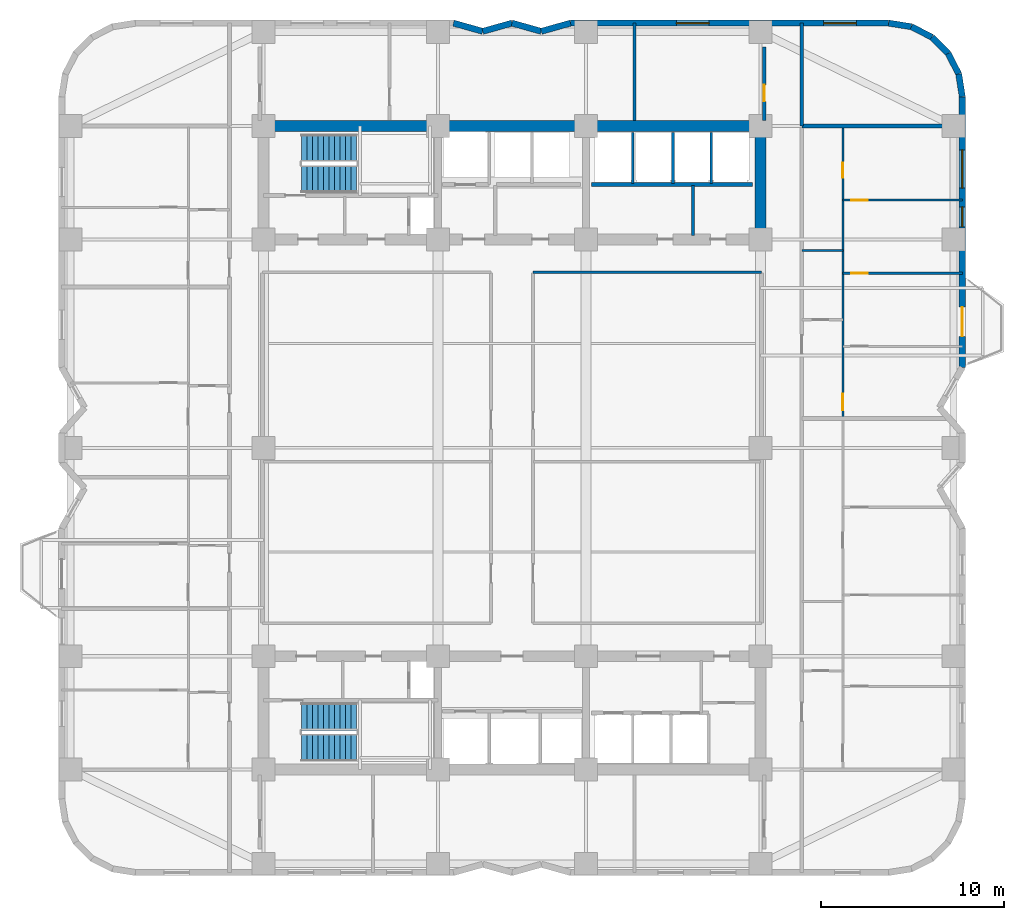
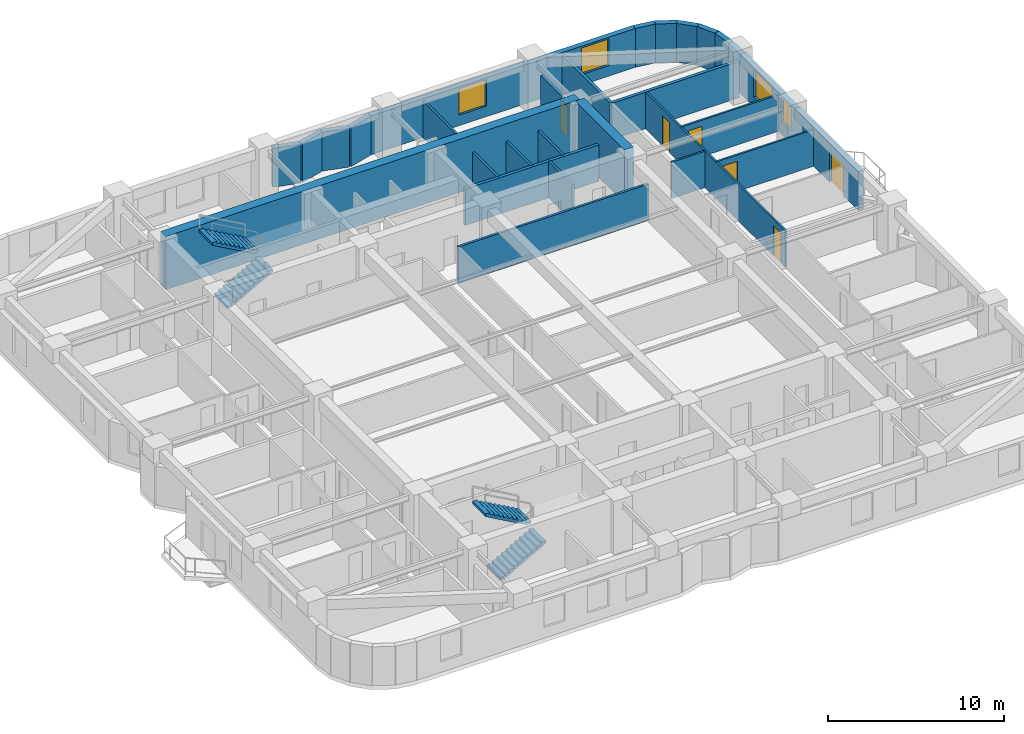
# One storey, part 7 of 9: 27 walls, 6 doors, 4 stair flights, 4 windows, 10 openings, 2 elements without a shape of their own.
"""IFC4 building model written with IfcOpenShell, lengths in metres."""

from ifc_helpers import new_model, si_unit, direction, frame, frame_2d, origin, place, context, subcontext, project, spatial, polyline, rectangle, outline, extrude, material, layer, layer_set, type_object, element, fill, aggregate, save


model = new_model("IFC4")

# Units and contexts
model_context = context("Model", 3, precision=1e-05, world=origin(), true_north=direction((0.0, 1.0)))
body_context = subcontext(model_context, "Body", "Model", "MODEL_VIEW")
ifc_project = project(units=[si_unit("LENGTHUNIT", "METRE"), si_unit("AREAUNIT", "SQUARE_METRE"), si_unit("VOLUMEUNIT", "CUBIC_METRE"), si_unit("PLANEANGLEUNIT", "RADIAN"), si_unit("MASSUNIT", "GRAM", prefix="KILO")], contexts=[model_context])

# Site, building, storey
site_placement = place(None, origin())
site = spatial("IfcSite", under=ifc_project, at=site_placement, CompositionType="ELEMENT")
building_placement = place(site_placement, origin())
building = spatial("IfcBuilding", under=site, at=building_placement, Name="Svetorya Sky Lyceum", CompositionType="ELEMENT")
storey_placement = place(building_placement, frame((0.0, 0.0, 51.0)))
storey = spatial("IfcBuildingStorey", under=building, at=storey_placement, Name="L12", CompositionType="ELEMENT", Elevation=51.0)

# Walls
ifc_material_1 = material(Name="Concrete C60/75", Category="concrete")
ifc_layer_1 = layer(ifc_material_1, 0.60009765625)
ifc_layer_set_1 = layer_set([ifc_layer_1], Name="Concrete C60/75")
wall_type_1 = type_object("IfcWallType", Name="WL-CORE-600", PredefinedType="SHEAR", material=ifc_layer_set_1)
wall_1_placement = place(storey_placement, frame((25.60009765625, 45.800048828125, 0.0), z_axis=(0.0, 0.0, 1.0), x_axis=(1.0, 0.0, 0.0)))
element("IfcWall", 1, at=wall_1_placement, inside=storey, type_object=wall_type_1, Name="L12 NC Outer Core Shear Wall", PredefinedType="SHEAR", context=body_context, shape_type="SweptSolid", body=[
    extrude(rectangle(XDim=27.199951171875, YDim=0.60009765625, at=frame_2d((13.60009765625, 0.0))), origin(), (0.0, 0.0, 1.0), 3.699951171875),
])
wall_2_placement = place(storey_placement, frame((52.800048828125, 39.89990234375, 0.0), z_axis=(0.0, 0.0, 1.0), x_axis=(0.0, 1.0, 0.0)))
element("IfcWall", 2, at=wall_2_placement, inside=storey, type_object=wall_type_1, Name="L12 NC East Core Shear Wall", PredefinedType="SHEAR", context=body_context, shape_type="SweptSolid", body=[
    extrude(rectangle(XDim=5.60009765625, YDim=0.60009765625, at=frame_2d((2.800048828125, 0.0))), origin(), (0.0, 0.0, 1.0), 3.699951171875),
])

# Wall, openings, door, windows
ifc_material_2 = material(Name="Putilovo limestone rainscreen on autoclaved cellular masonry", Category="masonry")
ifc_layer_2 = layer(ifc_material_2, 0.340087890625)
ifc_layer_set_2 = layer_set([ifc_layer_2], Name="Putilovo limestone rainscreen on autoclaved cellular masonry")
wall_type_2 = type_object("IfcWallType", Name="WL-EXT-340", PredefinedType="SOLIDWALL", material=ifc_layer_set_2)
wall_3_placement = place(storey_placement, frame((63.830078125, 32.60009765625, 0.0), z_axis=(0.0, 0.0, 1.0), x_axis=(0.0, 1.0, 0.0)))
wall_3 = element("IfcWall", 3, at=wall_3_placement, inside=storey, type_object=wall_type_2, Name="L12 Limestone Exterior Wall 23M", PredefinedType="SOLIDWALL", context=body_context, shape_type="SweptSolid", body=[
    extrude(rectangle(XDim=14.7998046875, YDim=0.340087890625, at=frame_2d((7.39990234375, 0.0))), origin(), (0.0, 0.0, 1.0), 2.699951171875),
])
opening_1_placement = place(wall_3_placement, frame((1.699951171875, 0.0, 0.0)))
opening_1 = element("IfcOpeningElement", 4, at=opening_1_placement, cuts=wall_3, Name="Opening D-BL1", PredefinedType="OPENING", context=body_context, shape_type="SweptSolid", body=[
    extrude(rectangle(XDim=1.60009765625, YDim=2.10009765625, at=frame_2d((0.800048828125, 1.050048828125))), frame((0.0, 0.179931640625, 0.0), z_axis=(0.0, -1.0, 0.0), x_axis=(1.0, 0.0, 0.0)), (0.0, 0.0, 1.0), 0.360107421875),
])
opening_2_placement = place(wall_3_placement, frame((7.679931640625, 0.0, 0.889892578125)))
opening_2 = element("IfcOpeningElement", 5, at=opening_2_placement, cuts=wall_3, Name="Opening W-R3", PredefinedType="OPENING", context=body_context, shape_type="SweptSolid", body=[
    extrude(rectangle(XDim=1.10009765625, YDim=1.64990234375, at=frame_2d((0.550048828125, 0.824951171875))), frame((0.0, 0.179931640625, 0.0), z_axis=(0.0, -1.0, 0.0), x_axis=(1.0, 0.0, 0.0)), (0.0, 0.0, 1.0), 0.360107421875),
])
opening_3_placement = place(wall_3_placement, frame((9.800048828125, 0.0, 0.679931640625)))
opening_3 = element("IfcOpeningElement", 6, at=opening_3_placement, cuts=wall_3, Name="Opening W-R0", PredefinedType="OPENING", context=body_context, shape_type="SweptSolid", body=[
    extrude(rectangle(XDim=2.10009765625, YDim=1.89990234375, at=frame_2d((1.050048828125, 0.949951171875))), frame((0.0, 0.179931640625, 0.0), z_axis=(0.0, -1.0, 0.0), x_axis=(1.0, 0.0, 0.0)), (0.0, 0.0, 1.0), 0.360107421875),
])
ifc_material_3 = material(Name="Insulated glazed aluminium balcony door", Category="aluminium")
door_type_1 = type_object("IfcDoorType", Name="DR-BAL-1600", OperationType="DOUBLE_DOOR_SINGLE_SWING", PredefinedType="DOOR", material=ifc_material_3)
door_1_placement = place(opening_1_placement, origin())
door_1 = element("IfcDoor", 7, at=door_1_placement, inside=storey, type_object=door_type_1, Name="L12 Balcony BAL-E1 Door", OperationType="DOUBLE_DOOR_SINGLE_SWING", OverallHeight=2.10009765625, OverallWidth=1.60009765625, PredefinedType="DOOR", context=body_context, shape_type="SweptSolid", body=[
    extrude(rectangle(XDim=1.60009765625, YDim=2.10009765625, at=frame_2d((0.800048828125, 1.050048828125))), frame((0.0, 0.02490234375, 0.0), z_axis=(0.0, -1.0, 0.0), x_axis=(1.0, 0.0, 0.0)), (0.0, 0.0, 1.0), 0.050048828125),
])
fill(opening_1, door_1)
ifc_material_4 = material(Name="Thermally broken aluminium frame with triple low-E glazing", Category="aluminium")
window_type_1 = type_object("IfcWindowType", Name="WN-RES-110", PartitioningType="SINGLE_PANEL", PredefinedType="WINDOW", material=ifc_material_4)
window_1_placement = place(opening_2_placement, origin())
window_1 = element("IfcWindow", 8, at=window_1_placement, inside=storey, type_object=window_type_1, Name="L12 Facade Window W-R3.23M.2", OverallHeight=1.64990234375, OverallWidth=1.10009765625, PartitioningType="SINGLE_PANEL", PredefinedType="WINDOW", context=body_context, shape_type="SweptSolid", body=[
    extrude(rectangle(XDim=1.10009765625, YDim=1.64990234375, at=frame_2d((0.550048828125, 0.824951171875))), frame((0.0, 0.030029296875, 0.0), z_axis=(0.0, -1.0, 0.0), x_axis=(1.0, 0.0, 0.0)), (0.0, 0.0, 1.0), 0.06005859375),
])
fill(opening_2, window_1)
window_type_2 = type_object("IfcWindowType", Name="WN-RES-210", PartitioningType="TRIPLE_PANEL_VERTICAL", PredefinedType="WINDOW", material=ifc_material_4)
window_2_placement = place(opening_3_placement, origin())
window_2 = element("IfcWindow", 9, at=window_2_placement, inside=storey, type_object=window_type_2, Name="L12 Facade Window W-R0.23M.1", OverallHeight=1.89990234375, OverallWidth=2.10009765625, PartitioningType="SINGLE_PANEL", PredefinedType="WINDOW", context=body_context, shape_type="SweptSolid", body=[
    extrude(rectangle(XDim=2.10009765625, YDim=1.89990234375, at=frame_2d((1.050048828125, 0.949951171875))), frame((0.0, 0.030029296875, 0.0), z_axis=(0.0, -1.0, 0.0), x_axis=(1.0, 0.0, 0.0)), (0.0, 0.0, 1.0), 0.06005859375),
])
fill(opening_3, window_2)

# Walls
for number, where, z_axis, x_axis, name in (
    (10, (63.830078125, 47.39990234375, 0.0), (0.0, 0.0, 1.0), (-0.15644975923, 0.987685918112, 0.0), "L12 Limestone Exterior Wall 24M"),
    (11, (63.6328125, 48.645263671875, 0.0), (0.0, 0.0, 1.0), (-0.454015689056, 0.890993689142, 0.0), "L12 Limestone Exterior Wall 25M"),
    (12, (63.060302734375, 49.768798828125, 0.0), (0.0, 0.0, 1.0), (-0.707106781187, 0.707106781187, 0.0), "L12 Limestone Exterior Wall 26M"),
):
    element("IfcWall", number, at=place(storey_placement, frame(where, z_axis=z_axis, x_axis=x_axis)), inside=storey, type_object=wall_type_2, Name=name, PredefinedType="SOLIDWALL", context=body_context, shape_type="SweptSolid", body=[
        extrude(rectangle(XDim=1.260986328125, YDim=0.340087890625, at=frame_2d((0.63037109375, 0.0))), origin(), (0.0, 0.0, 1.0), 2.699951171875),
    ])
for number, where, z_axis, x_axis, name in (
    (13, (62.168701171875, 50.660400390625, 0.0), (0.0, 0.0, 1.0), (-0.890953769915, 0.454094020963, 0.0), "L12 Limestone Exterior Wall 27M"),
    (14, (61.04541015625, 51.23291015625, 0.0), (0.0, 0.0, 1.0), (-0.98771582066, 0.156260864002, 0.0), "L12 Limestone Exterior Wall 28M"),
):
    element("IfcWall", number, at=place(storey_placement, frame(where, z_axis=z_axis, x_axis=x_axis)), inside=storey, type_object=wall_type_2, Name=name, PredefinedType="SOLIDWALL", context=body_context, shape_type="SweptSolid", body=[
        extrude(rectangle(XDim=1.2607421875, YDim=0.340087890625, at=frame_2d((0.63037109375, 0.0))), origin(), (0.0, 0.0, 1.0), 2.699951171875),
    ])

# Wall, openings, windows
wall_4_placement = place(storey_placement, frame((59.800048828125, 51.429931640625, 0.0), z_axis=(0.0, 0.0, 1.0), x_axis=(-1.0, 0.0, 0.0)))
wall_4 = element("IfcWall", 15, at=wall_4_placement, inside=storey, type_object=wall_type_2, Name="L12 Limestone Exterior Wall 29M", PredefinedType="SOLIDWALL", context=body_context, shape_type="SweptSolid", body=[
    extrude(rectangle(XDim=17.400146484375, YDim=0.340087890625, at=frame_2d((8.7001953125, 0.0))), origin(), (0.0, 0.0, 1.0), 2.699951171875),
])
opening_4_placement = place(wall_4_placement, frame((1.762451171875, 0.0, 0.72998046875)))
opening_4 = element("IfcOpeningElement", 16, at=opening_4_placement, cuts=wall_4, Name="Opening W-R1", PredefinedType="OPENING", context=body_context, shape_type="SweptSolid", body=[
    extrude(rectangle(XDim=1.800048828125, YDim=1.85009765625, at=frame_2d((0.89990234375, 0.925048828125))), frame((0.0, 0.179931640625, 0.0), z_axis=(0.0, -1.0, 0.0), x_axis=(1.0, 0.0, 0.0)), (0.0, 0.0, 1.0), 0.360107421875),
])
opening_5_placement = place(wall_4_placement, frame((9.8125, 0.0, 0.72998046875)))
opening_5 = element("IfcOpeningElement", 17, at=opening_5_placement, cuts=wall_4, Name="Opening W-R1", PredefinedType="OPENING", context=body_context, shape_type="SweptSolid", body=[
    extrude(rectangle(XDim=1.800048828125, YDim=1.85009765625, at=frame_2d((0.89990234375, 0.925048828125))), frame((0.0, 0.179931640625, 0.0), z_axis=(0.0, -1.0, 0.0), x_axis=(1.0, 0.0, 0.0)), (0.0, 0.0, 1.0), 0.360107421875),
])
window_type_3 = type_object("IfcWindowType", Name="WN-RES-180", PartitioningType="DOUBLE_PANEL_VERTICAL", PredefinedType="WINDOW", material=ifc_material_4)
window_3_placement = place(opening_4_placement, origin())
window_3 = element("IfcWindow", 18, at=window_3_placement, inside=storey, type_object=window_type_3, Name="L12 Facade Window W-R1.29M.1", OverallHeight=1.85009765625, OverallWidth=1.800048828125, PartitioningType="SINGLE_PANEL", PredefinedType="WINDOW", context=body_context, shape_type="SweptSolid", body=[
    extrude(rectangle(XDim=1.800048828125, YDim=1.85009765625, at=frame_2d((0.89990234375, 0.925048828125))), frame((0.0, 0.030029296875, 0.0), z_axis=(0.0, -1.0, 0.0), x_axis=(1.0, 0.0, 0.0)), (0.0, 0.0, 1.0), 0.06005859375),
])
fill(opening_4, window_3)
window_4_placement = place(opening_5_placement, origin())
window_4 = element("IfcWindow", 19, at=window_4_placement, inside=storey, type_object=window_type_3, Name="L12 Facade Window W-R1.29M.2", OverallHeight=1.85009765625, OverallWidth=1.800048828125, PartitioningType="SINGLE_PANEL", PredefinedType="WINDOW", context=body_context, shape_type="SweptSolid", body=[
    extrude(rectangle(XDim=1.800048828125, YDim=1.85009765625, at=frame_2d((0.89990234375, 0.925048828125))), frame((0.0, 0.030029296875, 0.0), z_axis=(0.0, -1.0, 0.0), x_axis=(1.0, 0.0, 0.0)), (0.0, 0.0, 1.0), 0.06005859375),
])
fill(opening_5, window_4)

# Walls
wall_5_placement = place(storey_placement, frame((42.39990234375, 51.429931640625, 0.0), z_axis=(0.0, 0.0, 1.0), x_axis=(-0.962652136636, -0.270741322725, 0.0)))
element("IfcWall", 20, at=wall_5_placement, inside=storey, type_object=wall_type_2, Name="L12 Limestone Exterior Wall 30M", PredefinedType="SOLIDWALL", context=body_context, shape_type="SweptSolid", body=[
    extrude(rectangle(XDim=1.661865234375, YDim=0.340087890625, at=frame_2d((0.8310546875, 0.0))), origin(), (0.0, 0.0, 1.0), 2.699951171875),
])
wall_6_placement = place(storey_placement, frame((40.800048828125, 50.97998046875, 0.0), z_axis=(0.0, 0.0, 1.0), x_axis=(-0.962662902433, 0.270703040766, 0.0)))
element("IfcWall", 21, at=wall_6_placement, inside=storey, type_object=wall_type_2, Name="L12 Limestone Exterior Wall 31M", PredefinedType="SOLIDWALL", context=body_context, shape_type="SweptSolid", body=[
    extrude(rectangle(XDim=1.662109375, YDim=0.340087890625, at=frame_2d((0.8310546875, 0.0))), origin(), (0.0, 0.0, 1.0), 2.699951171875),
])
wall_7_placement = place(storey_placement, frame((39.199951171875, 51.429931640625, 0.0), z_axis=(0.0, 0.0, 1.0), x_axis=(-0.962652136636, -0.270741322725, 0.0)))
element("IfcWall", 22, at=wall_7_placement, inside=storey, type_object=wall_type_2, Name="L12 Limestone Exterior Wall 32M", PredefinedType="SOLIDWALL", context=body_context, shape_type="SweptSolid", body=[
    extrude(rectangle(XDim=1.661865234375, YDim=0.340087890625, at=frame_2d((0.8310546875, 0.0))), origin(), (0.0, 0.0, 1.0), 2.699951171875),
])
wall_8_placement = place(storey_placement, frame((37.60009765625, 50.97998046875, 0.0), z_axis=(0.0, 0.0, 1.0), x_axis=(-0.962662902433, 0.270703040766, 0.0)))
element("IfcWall", 23, at=wall_8_placement, inside=storey, type_object=wall_type_2, Name="L12 Limestone Exterior Wall 33M", PredefinedType="SOLIDWALL", context=body_context, shape_type="SweptSolid", body=[
    extrude(rectangle(XDim=1.662109375, YDim=0.340087890625, at=frame_2d((0.8310546875, 0.0))), origin(), (0.0, 0.0, 1.0), 2.699951171875),
])
ifc_material_5 = material(Name="Twin-stud galvanized framing with double fireboard", Category="gypsum")
ifc_layer_3 = layer(ifc_material_5, 0.1201171875)
ifc_layer_set_3 = layer_set([ifc_layer_3], Name="Twin-stud galvanized framing with double fireboard")
wall_type_3 = type_object("IfcWallType", Name="WL-PART-120", PredefinedType="PARTITIONING", material=ifc_layer_set_3)
wall_9_placement = place(storey_placement, frame((55.050048828125, 39.0, 0.0), z_axis=(0.0, 0.0, 1.0), x_axis=(1.0, 0.0, 0.0)))
element("IfcWall", 24, at=wall_9_placement, inside=storey, type_object=wall_type_3, Name="L12 Interior Partition E2-WH2", PredefinedType="PARTITIONING", context=body_context, shape_type="SweptSolid", body=[
    extrude(rectangle(XDim=2.25, YDim=0.1201171875, at=frame_2d((1.125, 0.0))), origin(), (0.0, 0.0, 1.0), 2.530029296875),
])

# Wall, opening, door
wall_10_placement = place(storey_placement, frame((57.300048828125, 37.75, 0.0), z_axis=(0.0, 0.0, 1.0), x_axis=(1.0, 0.0, 0.0)))
wall_10 = element("IfcWall", 25, at=wall_10_placement, inside=storey, type_object=wall_type_3, Name="L12 Interior Partition E2-WL2", PredefinedType="PARTITIONING", context=body_context, shape_type="SweptSolid", body=[
    extrude(rectangle(XDim=6.530029296875, YDim=0.1201171875, at=frame_2d((3.26513671875, 0.0))), origin(), (0.0, 0.0, 1.0), 2.530029296875),
])
opening_6_placement = place(wall_10_placement, frame((0.449951171875, 0.0, 0.0)))
opening_6 = element("IfcOpeningElement", 26, at=opening_6_placement, cuts=wall_10, Name="Opening D-RM1", PredefinedType="OPENING", context=body_context, shape_type="SweptSolid", body=[
    extrude(rectangle(XDim=0.89990234375, YDim=2.10009765625, at=frame_2d((0.449951171875, 1.050048828125))), frame((0.0, 0.070068359375, 0.0), z_axis=(0.0, -1.0, 0.0), x_axis=(1.0, 0.0, 0.0)), (0.0, 0.0, 1.0), 0.14013671875),
])
ifc_material_6 = material(Name="Lacquered birch veneer internal door")
door_type_2 = type_object("IfcDoorType", Name="DR-INT-900", OperationType="SINGLE_SWING_LEFT", PredefinedType="DOOR", material=ifc_material_6)
door_2_placement = place(opening_6_placement, origin())
door_2 = element("IfcDoor", 27, at=door_2_placement, inside=storey, type_object=door_type_2, Name="Apartment E2 Bedroom 2 Door", OperationType="SINGLE_SWING_RIGHT", OverallHeight=2.10009765625, OverallWidth=0.89990234375, PredefinedType="DOOR", context=body_context, shape_type="SweptSolid", body=[
    extrude(rectangle(XDim=0.89990234375, YDim=2.10009765625, at=frame_2d((0.449951171875, 1.050048828125))), frame((0.0, 0.02490234375, 0.0), z_axis=(0.0, -1.0, 0.0), x_axis=(1.0, 0.0, 0.0)), (0.0, 0.0, 1.0), 0.050048828125),
])
fill(opening_6, door_2)

wall_11_placement = place(storey_placement, frame((57.300048828125, 41.75, 0.0), z_axis=(0.0, 0.0, 1.0), x_axis=(1.0, 0.0, 0.0)))
wall_11 = element("IfcWall", 28, at=wall_11_placement, inside=storey, type_object=wall_type_3, Name="L12 Interior Partition E2-WL3", PredefinedType="PARTITIONING", context=body_context, shape_type="SweptSolid", body=[
    extrude(rectangle(XDim=6.530029296875, YDim=0.1201171875, at=frame_2d((3.26513671875, 0.0))), origin(), (0.0, 0.0, 1.0), 2.530029296875),
])
opening_7_placement = place(wall_11_placement, frame((0.449951171875, 0.0, 0.0)))
opening_7 = element("IfcOpeningElement", 29, at=opening_7_placement, cuts=wall_11, Name="Opening D-RM1", PredefinedType="OPENING", context=body_context, shape_type="SweptSolid", body=[
    extrude(rectangle(XDim=0.89990234375, YDim=2.10009765625, at=frame_2d((0.449951171875, 1.050048828125))), frame((0.0, 0.070068359375, 0.0), z_axis=(0.0, -1.0, 0.0), x_axis=(1.0, 0.0, 0.0)), (0.0, 0.0, 1.0), 0.14013671875),
])
door_3_placement = place(opening_7_placement, origin())
door_3 = element("IfcDoor", 30, at=door_3_placement, inside=storey, type_object=door_type_2, Name="Apartment E2 Bedroom 3 Door", OperationType="SINGLE_SWING_LEFT", OverallHeight=2.10009765625, OverallWidth=0.89990234375, PredefinedType="DOOR", context=body_context, shape_type="SweptSolid", body=[
    extrude(rectangle(XDim=0.89990234375, YDim=2.10009765625, at=frame_2d((0.449951171875, 1.050048828125))), frame((0.0, 0.02490234375, 0.0), z_axis=(0.0, -1.0, 0.0), x_axis=(1.0, 0.0, 0.0)), (0.0, 0.0, 1.0), 0.050048828125),
])
fill(opening_7, door_3)

# Wall, openings, doors
wall_12_placement = place(storey_placement, frame((57.300048828125, 29.840087890625, 0.0), z_axis=(0.0, 0.0, 1.0), x_axis=(0.0, 1.0, 0.0)))
wall_12 = element("IfcWall", 31, at=wall_12_placement, inside=storey, type_object=wall_type_3, Name="L12 Interior Partition E2-WV", PredefinedType="PARTITIONING", context=body_context, shape_type="SweptSolid", body=[
    extrude(rectangle(XDim=15.919921875, YDim=0.1201171875, at=frame_2d((7.9599609375, 0.0))), origin(), (0.0, 0.0, 1.0), 2.530029296875),
])
opening_8_placement = place(wall_12_placement, frame((0.409912109375, 0.0, 0.0)))
opening_8 = element("IfcOpeningElement", 32, at=opening_8_placement, cuts=wall_12, Name="Opening D-RM1", PredefinedType="OPENING", context=body_context, shape_type="SweptSolid", body=[
    extrude(rectangle(XDim=0.89990234375, YDim=2.10009765625, at=frame_2d((0.449951171875, 1.050048828125))), frame((0.0, 0.070068359375, 0.0), z_axis=(0.0, -1.0, 0.0), x_axis=(1.0, 0.0, 0.0)), (0.0, 0.0, 1.0), 0.14013671875),
])
opening_9_placement = place(wall_12_placement, frame((13.125, 0.0, 0.0)))
opening_9 = element("IfcOpeningElement", 33, at=opening_9_placement, cuts=wall_12, Name="Opening D-BT2", PredefinedType="OPENING", context=body_context, shape_type="SweptSolid", body=[
    extrude(rectangle(XDim=0.820068359375, YDim=2.080078125, at=frame_2d((0.41015625, 1.0400390625))), frame((0.0, 0.070068359375, 0.0), z_axis=(0.0, -1.0, 0.0), x_axis=(1.0, 0.0, 0.0)), (0.0, 0.0, 1.0), 0.14013671875),
])
door_4_placement = place(opening_8_placement, origin())
door_4 = element("IfcDoor", 34, at=door_4_placement, inside=storey, type_object=door_type_2, Name="Apartment E2 Living Door", OperationType="SINGLE_SWING_RIGHT", OverallHeight=2.10009765625, OverallWidth=0.89990234375, PredefinedType="DOOR", context=body_context, shape_type="SweptSolid", body=[
    extrude(rectangle(XDim=0.89990234375, YDim=2.10009765625, at=frame_2d((0.449951171875, 1.050048828125))), frame((0.0, 0.02490234375, 0.0), z_axis=(0.0, -1.0, 0.0), x_axis=(1.0, 0.0, 0.0)), (0.0, 0.0, 1.0), 0.050048828125),
])
fill(opening_8, door_4)
ifc_material_7 = material(Name="Compact moisture-resistant laminate closet door")
door_type_3 = type_object("IfcDoorType", Name="DR-WET-820", OperationType="SINGLE_SWING_LEFT", PredefinedType="DOOR", material=ifc_material_7)
door_5_placement = place(opening_9_placement, origin())
door_5 = element("IfcDoor", 35, at=door_5_placement, inside=storey, type_object=door_type_3, Name="Apartment E2 Study Door", OperationType="SINGLE_SWING_LEFT", OverallHeight=2.080078125, OverallWidth=0.820068359375, PredefinedType="DOOR", context=body_context, shape_type="SweptSolid", body=[
    extrude(rectangle(XDim=0.820068359375, YDim=2.080078125, at=frame_2d((0.41015625, 1.0400390625))), frame((0.0, 0.02490234375, 0.0), z_axis=(0.0, -1.0, 0.0), x_axis=(1.0, 0.0, 0.0)), (0.0, 0.0, 1.0), 0.050048828125),
])
fill(opening_9, door_5)

# Walls
ifc_material_8 = material(Name="Autoclaved cellular masonry blockwork with acoustic render", Category="masonry")
ifc_layer_4 = layer(ifc_material_8, 0.14990234375)
ifc_layer_set_4 = layer_set([ifc_layer_4], Name="Autoclaved cellular masonry blockwork with acoustic render")
wall_type_4 = type_object("IfcWallType", Name="WL-PART-150", PredefinedType="PARTITIONING", material=ifc_layer_set_4)
for number, where, z_axis, x_axis, name in (
    (36, (45.800048828125, 42.64990234375, 0.0), (0.0, 0.0, 1.0), (0.0, 1.0, 0.0), "L12 Interior Partition NC-PM3-D"),
    (37, (48.0, 42.64990234375, 0.0), (0.0, 0.0, 1.0), (0.0, 1.0, 0.0), "L12 Interior Partition NC-PH-D1"),
    (38, (50.10009765625, 42.64990234375, 0.0), (0.0, 0.0, 1.0), (0.0, 1.0, 0.0), "L12 Interior Partition NC-PH-D2"),
):
    element("IfcWall", number, at=place(storey_placement, frame(where, z_axis=z_axis, x_axis=x_axis)), inside=storey, type_object=wall_type_4, Name=name, PredefinedType="PARTITIONING", context=body_context, shape_type="SweptSolid", body=[
        extrude(rectangle(XDim=2.800048828125, YDim=0.14990234375, at=frame_2d((1.39990234375, 0.0))), origin(), (0.0, 0.0, 1.0), 2.530029296875),
    ])
wall_13_placement = place(storey_placement, frame((49.10009765625, 39.820068359375, 0.0), z_axis=(0.0, 0.0, 1.0), x_axis=(0.0, 1.0, 0.0)))
element("IfcWall", 39, at=wall_13_placement, inside=storey, type_object=wall_type_4, Name="L12 Interior Partition NC-EDH", PredefinedType="PARTITIONING", context=body_context, shape_type="SweptSolid", body=[
    extrude(rectangle(XDim=2.72998046875, YDim=0.14990234375, at=frame_2d((1.364990234375, 0.0))), origin(), (0.0, 0.0, 1.0), 2.530029296875),
])
wall_14_placement = place(storey_placement, frame((40.35009765625, 37.800048828125, 0.0), z_axis=(0.0, 0.0, 1.0), x_axis=(1.0, 0.0, 0.0)))
element("IfcWall", 40, at=wall_14_placement, inside=storey, type_object=wall_type_4, Name="L12 Interior Partition CN-MID-E", PredefinedType="PARTITIONING", context=body_context, shape_type="SweptSolid", body=[
    extrude(rectangle(XDim=12.5, YDim=0.14990234375, at=frame_2d((6.25, 0.0))), origin(), (0.0, 0.0, 1.0), 2.530029296875),
])
wall_15_placement = place(storey_placement, frame((45.89990234375, 46.10009765625, 0.0), z_axis=(0.0, 0.0, 1.0), x_axis=(0.0, 1.0, 0.0)))
element("IfcWall", 41, at=wall_15_placement, inside=storey, type_object=wall_type_4, Name="L12 Interior Partition N-D2", PredefinedType="PARTITIONING", context=body_context, shape_type="SweptSolid", body=[
    extrude(rectangle(XDim=5.329833984375, YDim=0.14990234375, at=frame_2d((2.6650390625, 0.0))), origin(), (0.0, 0.0, 1.0), 2.530029296875),
])
ifc_material_9 = material(Name="Autoclaved cellular masonry blockwork with gypsum plaster", Category="masonry")
ifc_layer_5 = layer(ifc_material_9, 0.199951171875)
ifc_layer_set_5 = layer_set([ifc_layer_5], Name="Autoclaved cellular masonry blockwork with gypsum plaster")
wall_type_5 = type_object("IfcWallType", Name="WL-PART-200", PredefinedType="PARTITIONING", material=ifc_layer_set_5)
wall_16_placement = place(storey_placement, frame((52.35009765625, 42.60009765625, 0.0), z_axis=(0.0, 0.0, 1.0), x_axis=(-1.0, 0.0, 0.0)))
element("IfcWall", 42, at=wall_16_placement, inside=storey, type_object=wall_type_5, Name="L12 Interior Partition NC-PHEW", PredefinedType="PARTITIONING", context=body_context, shape_type="SweptSolid", body=[
    extrude(rectangle(XDim=8.800048828125, YDim=0.199951171875, at=frame_2d((4.39990234375, 0.0))), origin(), (0.0, 0.0, 1.0), 2.530029296875),
])
wall_17_placement = place(storey_placement, frame((55.050048828125, 45.800048828125, 0.0), z_axis=(0.0, 0.0, 1.0), x_axis=(1.0, 0.0, 0.0)))
element("IfcWall", 43, at=wall_17_placement, inside=storey, type_object=wall_type_5, Name="L12 Interior Partition E-CAP-N", PredefinedType="PARTITIONING", context=body_context, shape_type="SweptSolid", body=[
    extrude(rectangle(XDim=8.35986328125, YDim=0.199951171875, at=frame_2d((4.179931640625, 0.0))), origin(), (0.0, 0.0, 1.0), 2.530029296875),
])
wall_18_placement = place(storey_placement, frame((55.050048828125, 45.800048828125, 0.0), z_axis=(0.0, 0.0, 1.0), x_axis=(0.0, 1.0, 0.0)))
element("IfcWall", 44, at=wall_18_placement, inside=storey, type_object=wall_type_5, Name="L12 Interior Partition EC-NE-END", PredefinedType="PARTITIONING", context=body_context, shape_type="SweptSolid", body=[
    extrude(rectangle(XDim=5.6298828125, YDim=0.199951171875, at=frame_2d((2.81494140625, 0.0))), origin(), (0.0, 0.0, 1.0), 2.530029296875),
])

# Wall, opening, door
wall_19_placement = place(storey_placement, frame((53.0, 46.10009765625, 0.0), z_axis=(0.0, 0.0, 1.0), x_axis=(0.0, 1.0, 0.0)))
wall_19 = element("IfcWall", 45, at=wall_19_placement, inside=storey, type_object=wall_type_5, Name="L12 Interior Partition N-EE", PredefinedType="PARTITIONING", context=body_context, shape_type="SweptSolid", body=[
    extrude(rectangle(XDim=4.02978515625, YDim=0.199951171875, at=frame_2d((2.014892578125, 0.0))), origin(), (0.0, 0.0, 1.0), 2.530029296875),
])
opening_10_placement = place(wall_19_placement, frame((1.050048828125, 0.0, 0.0)))
opening_10 = element("IfcOpeningElement", 46, at=opening_10_placement, cuts=wall_19, Name="Opening D-RM1", PredefinedType="OPENING", context=body_context, shape_type="SweptSolid", body=[
    extrude(rectangle(XDim=0.89990234375, YDim=2.10009765625, at=frame_2d((0.449951171875, 1.050048828125))), frame((0.0, 0.10986328125, 0.0), z_axis=(0.0, -1.0, 0.0), x_axis=(1.0, 0.0, 0.0)), (0.0, 0.0, 1.0), 0.219970703125),
])
door_6_placement = place(opening_10_placement, origin())
door_6 = element("IfcDoor", 47, at=door_6_placement, inside=storey, type_object=door_type_2, Name="L12 North Meeting Door", OperationType="SINGLE_SWING_LEFT", OverallHeight=2.10009765625, OverallWidth=0.89990234375, PredefinedType="DOOR", context=body_context, shape_type="SweptSolid", body=[
    extrude(rectangle(XDim=0.89990234375, YDim=2.10009765625, at=frame_2d((0.449951171875, 1.050048828125))), frame((0.0, 0.02490234375, 0.0), z_axis=(0.0, -1.0, 0.0), x_axis=(1.0, 0.0, 0.0)), (0.0, 0.0, 1.0), 0.050048828125),
])
fill(opening_10, door_6)

# Stair, stair flights
ifc_material_10 = material(Name="Concrete C40/50", Category="concrete")
stair_type_1 = type_object("IfcStairType", Name="STR-ST-N", PredefinedType="HALF_TURN_STAIR", material=ifc_material_10)
stair_1_placement = place(storey_placement, origin())
stair_1 = element("IfcStair", 48, at=stair_1_placement, inside=storey, type_object=stair_type_1, Name="L12 North Core Smoke-Free Exit Stair N3", PredefinedType="HALF_TURN_STAIR")
stair_flight_type_1 = type_object("IfcStairFlightType", Name="SFL-ST-N", PredefinedType="STRAIGHT", material=ifc_material_10)
stair_flight_1_placement = place(storey_placement, frame((27.699951171875, 42.89990234375, 0.0), z_axis=(0.0, 0.0, 1.0), x_axis=(1.0, 0.0, 0.0)))
stair_flight_1 = element("IfcStairFlight", 49, at=stair_flight_1_placement, type_object=stair_flight_type_1, Name="ST-N flight 1", NumberOfRisers=11, NumberOfTreads=10, PredefinedType="STRAIGHT", RiserHeight=0.168181818, TreadLength=0.3, context=body_context, shape_type="SweptSolid", body=[
    extrude(outline(polyline([(0.0, 0.0), (0.0, 0.168212890625), (0.300048828125, 0.168212890625), (0.300048828125, 0.33642578125), (0.60009765625, 0.33642578125), (0.60009765625, 0.504638671875), (0.89990234375, 0.504638671875), (0.89990234375, 0.672607421875), (1.199951171875, 0.672607421875), (1.199951171875, 0.8408203125), (1.5, 0.8408203125), (1.5, 1.009033203125), (1.800048828125, 1.009033203125), (1.800048828125, 1.17724609375), (2.10009765625, 1.17724609375), (2.10009765625, 1.345458984375), (2.39990234375, 1.345458984375), (2.39990234375, 1.513671875), (2.699951171875, 1.513671875), (2.699951171875, 1.681884765625), (3.0, 1.681884765625), (3.0, 1.85009765625), (3.0, 1.510009765625), (0.306640625, 0.0), (0.0, 0.0)])), frame((0.0, 0.75, 0.0), z_axis=(0.0, -1.0, 0.0), x_axis=(1.0, 0.0, 0.0)), (0.0, 0.0, 1.0), 1.5),
])
stair_flight_2_placement = place(storey_placement, frame((30.699951171875, 44.60009765625, 1.85009765625), z_axis=(0.0, 0.0, 1.0), x_axis=(-1.0, 0.0, 0.0)))
stair_flight_2 = element("IfcStairFlight", 50, at=stair_flight_2_placement, type_object=stair_flight_type_1, Name="ST-N flight 2", NumberOfRisers=11, NumberOfTreads=10, PredefinedType="STRAIGHT", RiserHeight=0.168181818, TreadLength=0.3, context=body_context, shape_type="SweptSolid", body=[
    extrude(outline(polyline([(0.0, 0.0), (0.0, 0.168212890625), (0.300048828125, 0.168212890625), (0.300048828125, 0.33642578125), (0.60009765625, 0.33642578125), (0.60009765625, 0.504638671875), (0.89990234375, 0.504638671875), (0.89990234375, 0.672607421875), (1.199951171875, 0.672607421875), (1.199951171875, 0.8408203125), (1.5, 0.8408203125), (1.5, 1.009033203125), (1.800048828125, 1.009033203125), (1.800048828125, 1.17724609375), (2.10009765625, 1.17724609375), (2.10009765625, 1.345458984375), (2.39990234375, 1.345458984375), (2.39990234375, 1.513671875), (2.699951171875, 1.513671875), (2.699951171875, 1.681884765625), (3.0, 1.681884765625), (3.0, 1.85009765625), (3.0, 1.510009765625), (0.306640625, 0.0), (0.0, 0.0)])), frame((0.0, 0.75, 0.0), z_axis=(0.0, -1.0, 0.0), x_axis=(1.0, 0.0, 0.0)), (0.0, 0.0, 1.0), 1.5),
])
aggregate(stair_1, [stair_flight_1, stair_flight_2])

stair_type_2 = type_object("IfcStairType", Name="STR-ST-S", PredefinedType="HALF_TURN_STAIR", material=ifc_material_10)
stair_2_placement = place(storey_placement, origin())
stair_2 = element("IfcStair", 51, at=stair_2_placement, inside=storey, type_object=stair_type_2, Name="L12 South Core Smoke-Free Exit Stair N2", PredefinedType="HALF_TURN_STAIR")
stair_flight_type_2 = type_object("IfcStairFlightType", Name="SFL-ST-S", PredefinedType="STRAIGHT", material=ifc_material_10)
stair_flight_3_placement = place(storey_placement, frame((27.699951171875, 11.800048828125, 0.0), z_axis=(0.0, 0.0, 1.0), x_axis=(1.0, 0.0, 0.0)))
stair_flight_3 = element("IfcStairFlight", 52, at=stair_flight_3_placement, type_object=stair_flight_type_2, Name="ST-S flight 1", NumberOfRisers=11, NumberOfTreads=10, PredefinedType="STRAIGHT", RiserHeight=0.168181818, TreadLength=0.3, context=body_context, shape_type="SweptSolid", body=[
    extrude(outline(polyline([(0.0, 0.0), (0.0, 0.168212890625), (0.300048828125, 0.168212890625), (0.300048828125, 0.33642578125), (0.60009765625, 0.33642578125), (0.60009765625, 0.504638671875), (0.89990234375, 0.504638671875), (0.89990234375, 0.672607421875), (1.199951171875, 0.672607421875), (1.199951171875, 0.8408203125), (1.5, 0.8408203125), (1.5, 1.009033203125), (1.800048828125, 1.009033203125), (1.800048828125, 1.17724609375), (2.10009765625, 1.17724609375), (2.10009765625, 1.345458984375), (2.39990234375, 1.345458984375), (2.39990234375, 1.513671875), (2.699951171875, 1.513671875), (2.699951171875, 1.681884765625), (3.0, 1.681884765625), (3.0, 1.85009765625), (3.0, 1.510009765625), (0.306640625, 0.0), (0.0, 0.0)])), frame((0.0, 0.75, 0.0), z_axis=(0.0, -1.0, 0.0), x_axis=(1.0, 0.0, 0.0)), (0.0, 0.0, 1.0), 1.5),
])
stair_flight_4_placement = place(storey_placement, frame((30.699951171875, 13.5, 1.85009765625), z_axis=(0.0, 0.0, 1.0), x_axis=(-1.0, 0.0, 0.0)))
stair_flight_4 = element("IfcStairFlight", 53, at=stair_flight_4_placement, type_object=stair_flight_type_2, Name="ST-S flight 2", NumberOfRisers=11, NumberOfTreads=10, PredefinedType="STRAIGHT", RiserHeight=0.168181818, TreadLength=0.3, context=body_context, shape_type="SweptSolid", body=[
    extrude(outline(polyline([(0.0, 0.0), (0.0, 0.168212890625), (0.300048828125, 0.168212890625), (0.300048828125, 0.33642578125), (0.60009765625, 0.33642578125), (0.60009765625, 0.504638671875), (0.89990234375, 0.504638671875), (0.89990234375, 0.672607421875), (1.199951171875, 0.672607421875), (1.199951171875, 0.8408203125), (1.5, 0.8408203125), (1.5, 1.009033203125), (1.800048828125, 1.009033203125), (1.800048828125, 1.17724609375), (2.10009765625, 1.17724609375), (2.10009765625, 1.345458984375), (2.39990234375, 1.345458984375), (2.39990234375, 1.513671875), (2.699951171875, 1.513671875), (2.699951171875, 1.681884765625), (3.0, 1.681884765625), (3.0, 1.85009765625), (3.0, 1.510009765625), (0.306640625, 0.0), (0.0, 0.0)])), frame((0.0, 0.75, 0.0), z_axis=(0.0, -1.0, 0.0), x_axis=(1.0, 0.0, 0.0)), (0.0, 0.0, 1.0), 1.5),
])
aggregate(stair_2, [stair_flight_3, stair_flight_4])

save(model, "model.ifc")
